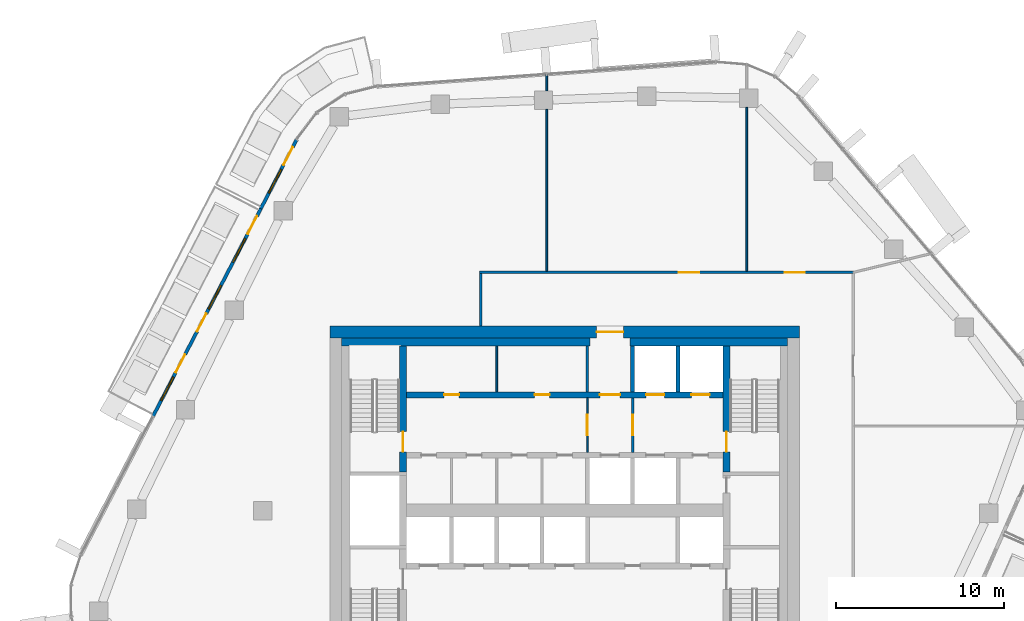
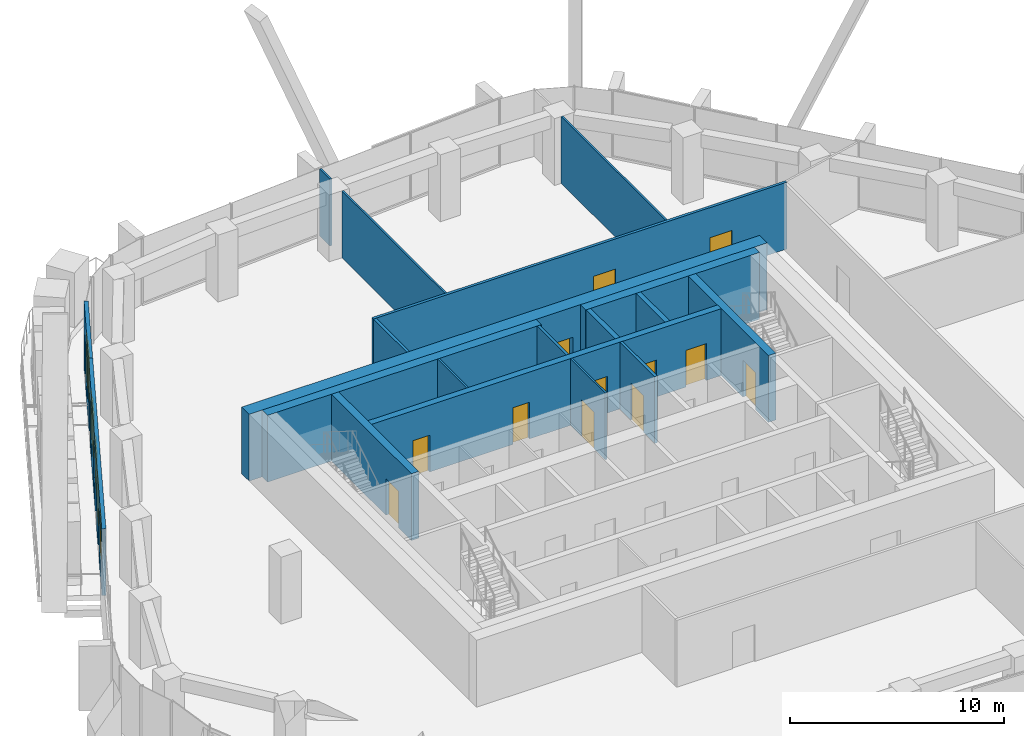
# One storey, part 12 of 20: 19 walls, 16 doors, 4 windows, 20 openings.
"""IFC4 building model written with IfcOpenShell, lengths in metres."""

from ifc_helpers import new_model, si_unit, direction, frame, frame_2d, origin, place, context, subcontext, project, spatial, rectangle, extrude, material, layer, layer_set, type_object, element, fill, save


model = new_model("IFC4")

# Units and contexts
model_context = context("Model", 3, precision=1e-05, world=origin(), true_north=direction((0.0, 1.0)))
body_context = subcontext(model_context, "Body", "Model", "MODEL_VIEW")
ifc_project = project(units=[si_unit("LENGTHUNIT", "METRE"), si_unit("AREAUNIT", "SQUARE_METRE"), si_unit("VOLUMEUNIT", "CUBIC_METRE"), si_unit("PLANEANGLEUNIT", "RADIAN"), si_unit("MASSUNIT", "GRAM", prefix="KILO")], contexts=[model_context])

# Site, building, storey
site_placement = place(None, origin())
site = spatial("IfcSite", under=ifc_project, at=site_placement, CompositionType="ELEMENT")
building_placement = place(site_placement, origin())
building = spatial("IfcBuilding", under=site, at=building_placement, Name="Dongbaek Canopy Tower", CompositionType="ELEMENT")
storey_placement = place(building_placement, frame((0.0, 0.0, 266.39990234375)))
storey = spatial("IfcBuildingStorey", under=building, at=storey_placement, Name="L56", CompositionType="ELEMENT", Elevation=266.39990234375)

# Wall, openings, doors
ifc_material_1 = material(Name="Concrete C60/75", Category="concrete")
ifc_layer_1 = layer(ifc_material_1, 0.35009765625)
ifc_layer_set_1 = layer_set([ifc_layer_1], Name="Core lobby wall 350 Concrete C60/75")
wall_type_1 = type_object("IfcWallType", Name="Core lobby wall 350 Concrete C60/75", PredefinedType="SHEAR", material=ifc_layer_set_1)
wall_1_placement = place(storey_placement, frame((-9.449951171875, 6.89990234375, 0.0), z_axis=(0.0, 0.0, 1.0), x_axis=(1.0, 0.0, 0.0)))
wall_1 = element("IfcWall", 1, at=wall_1_placement, inside=storey, type_object=wall_type_1, Name="Core wall", PredefinedType="SHEAR", context=body_context, shape_type="SweptSolid", body=[
    extrude(rectangle(XDim=18.89990234375, YDim=0.35009765625, at=frame_2d((9.449951171875, 0.0))), origin(), (0.0, 0.0, 1.0), 3.820068359375),
])
opening_1_placement = place(wall_1_placement, frame((11.550048828125, 0.0, 0.0)))
opening_1 = element("IfcOpeningElement", 2, at=opening_1_placement, cuts=wall_1, Name="Opening L56-D008", PredefinedType="OPENING", context=body_context, shape_type="SweptSolid", body=[
    extrude(rectangle(XDim=1.199951171875, YDim=2.10009765625, at=frame_2d((0.60009765625, 1.050048828125))), frame((0.0, 0.18505859375, 0.0), z_axis=(0.0, -1.0, 0.0), x_axis=(1.0, 0.0, 0.0)), (0.0, 0.0, 1.0), 0.3701171875),
])
opening_2_placement = place(wall_1_placement, frame((14.300048828125, 0.0, 0.0)))
opening_2 = element("IfcOpeningElement", 3, at=opening_2_placement, cuts=wall_1, Name="Opening L56-D009", PredefinedType="OPENING", context=body_context, shape_type="SweptSolid", body=[
    extrude(rectangle(XDim=1.10009765625, YDim=2.10009765625, at=frame_2d((0.550048828125, 1.050048828125))), frame((0.0, 0.18505859375, 0.0), z_axis=(0.0, -1.0, 0.0), x_axis=(1.0, 0.0, 0.0)), (0.0, 0.0, 1.0), 0.3701171875),
])
opening_3_placement = place(wall_1_placement, frame((17.0, 0.0, 0.0)))
opening_3 = element("IfcOpeningElement", 4, at=opening_3_placement, cuts=wall_1, Name="Opening L56-D010", PredefinedType="OPENING", context=body_context, shape_type="SweptSolid", body=[
    extrude(rectangle(XDim=1.10009765625, YDim=2.10009765625, at=frame_2d((0.550048828125, 1.050048828125))), frame((0.0, 0.18505859375, 0.0), z_axis=(0.0, -1.0, 0.0), x_axis=(1.0, 0.0, 0.0)), (0.0, 0.0, 1.0), 0.3701171875),
])
opening_4_placement = place(wall_1_placement, frame((2.25, 0.0, 0.0)))
opening_4 = element("IfcOpeningElement", 5, at=opening_4_placement, cuts=wall_1, Name="Opening L56-D021", PredefinedType="OPENING", context=body_context, shape_type="SweptSolid", body=[
    extrude(rectangle(XDim=0.89990234375, YDim=2.10009765625, at=frame_2d((0.449951171875, 1.050048828125))), frame((0.0, 0.18505859375, 0.0), z_axis=(0.0, -1.0, 0.0), x_axis=(1.0, 0.0, 0.0)), (0.0, 0.0, 1.0), 0.3701171875),
])
opening_5_placement = place(wall_1_placement, frame((7.64990234375, 0.0, 0.0)))
opening_5 = element("IfcOpeningElement", 6, at=opening_5_placement, cuts=wall_1, Name="Opening L56-D022", PredefinedType="OPENING", context=body_context, shape_type="SweptSolid", body=[
    extrude(rectangle(XDim=0.89990234375, YDim=2.10009765625, at=frame_2d((0.449951171875, 1.050048828125))), frame((0.0, 0.18505859375, 0.0), z_axis=(0.0, -1.0, 0.0), x_axis=(1.0, 0.0, 0.0)), (0.0, 0.0, 1.0), 0.3701171875),
])
ifc_material_2 = material(Name="Steel", Category="steel")
door_type_1 = type_object("IfcDoorType", Name="Core room door 900 x 2100", OperationType="SINGLE_SWING_LEFT", PredefinedType="DOOR", material=ifc_material_2)
door_1_placement = place(opening_4_placement, origin())
door_1 = element("IfcDoor", 7, at=door_1_placement, inside=storey, type_object=door_type_1, Name="Door L56-D021", OperationType="SINGLE_SWING_RIGHT", OverallHeight=2.10009765625, OverallWidth=0.89990234375, PredefinedType="DOOR", context=body_context, shape_type="SweptSolid", body=[
    extrude(rectangle(XDim=0.89990234375, YDim=2.10009765625, at=frame_2d((0.449951171875, 1.050048828125))), frame((0.0, 0.02490234375, 0.0), z_axis=(0.0, -1.0, 0.0), x_axis=(1.0, 0.0, 0.0)), (0.0, 0.0, 1.0), 0.050048828125),
])
fill(opening_4, door_1)
door_2_placement = place(opening_5_placement, origin())
door_2 = element("IfcDoor", 8, at=door_2_placement, inside=storey, type_object=door_type_1, Name="Door L56-D022", OperationType="SINGLE_SWING_LEFT", OverallHeight=2.10009765625, OverallWidth=0.89990234375, PredefinedType="DOOR", context=body_context, shape_type="SweptSolid", body=[
    extrude(rectangle(XDim=0.89990234375, YDim=2.10009765625, at=frame_2d((0.449951171875, 1.050048828125))), frame((0.0, 0.02490234375, 0.0), z_axis=(0.0, -1.0, 0.0), x_axis=(1.0, 0.0, 0.0)), (0.0, 0.0, 1.0), 0.050048828125),
])
fill(opening_5, door_2)
ifc_material_3 = material(Name="Steel", Category="steel")
door_type_2 = type_object("IfcDoorType", Name="Fire lobby door 1200 x 2100", OperationType="SINGLE_SWING_LEFT", PredefinedType="DOOR", material=ifc_material_3)
door_3_placement = place(opening_1_placement, origin())
door_3 = element("IfcDoor", 9, at=door_3_placement, inside=storey, type_object=door_type_2, Name="Door L56-D008", OperationType="SINGLE_SWING_LEFT", OverallHeight=2.10009765625, OverallWidth=1.199951171875, PredefinedType="DOOR", context=body_context, shape_type="SweptSolid", body=[
    extrude(rectangle(XDim=1.199951171875, YDim=2.10009765625, at=frame_2d((0.60009765625, 1.050048828125))), frame((0.0, 0.02490234375, 0.0), z_axis=(0.0, -1.0, 0.0), x_axis=(1.0, 0.0, 0.0)), (0.0, 0.0, 1.0), 0.050048828125),
])
fill(opening_1, door_3)
ifc_material_4 = material(Name="Stainless steel", Category="steel")
door_type_3 = type_object("IfcDoorType", Name="Lift landing door 1100 x 2100", OperationType="DOUBLE_DOOR_SLIDING", PredefinedType="DOOR", material=ifc_material_4)
door_4_placement = place(opening_2_placement, origin())
door_4 = element("IfcDoor", 10, at=door_4_placement, inside=storey, type_object=door_type_3, Name="Landing door FF1", OperationType="DOUBLE_DOOR_SLIDING", OverallHeight=2.10009765625, OverallWidth=1.10009765625, PredefinedType="DOOR", context=body_context, shape_type="SweptSolid", body=[
    extrude(rectangle(XDim=1.10009765625, YDim=2.10009765625, at=frame_2d((0.550048828125, 1.050048828125))), frame((0.0, 0.02490234375, 0.0), z_axis=(0.0, -1.0, 0.0), x_axis=(1.0, 0.0, 0.0)), (0.0, 0.0, 1.0), 0.050048828125),
])
fill(opening_2, door_4)
door_5_placement = place(opening_3_placement, origin())
door_5 = element("IfcDoor", 11, at=door_5_placement, inside=storey, type_object=door_type_3, Name="Landing door FF2", OperationType="DOUBLE_DOOR_SLIDING", OverallHeight=2.10009765625, OverallWidth=1.10009765625, PredefinedType="DOOR", context=body_context, shape_type="SweptSolid", body=[
    extrude(rectangle(XDim=1.10009765625, YDim=2.10009765625, at=frame_2d((0.550048828125, 1.050048828125))), frame((0.0, 0.02490234375, 0.0), z_axis=(0.0, -1.0, 0.0), x_axis=(1.0, 0.0, 0.0)), (0.0, 0.0, 1.0), 0.050048828125),
])
fill(opening_3, door_5)

# Wall, opening, door
ifc_material_5 = material(Name="Concrete C70/85", Category="concrete")
ifc_layer_2 = layer(ifc_material_5, 0.699951171875)
ifc_layer_set_2 = layer_set([ifc_layer_2], Name="Core outer wall 700 Concrete C70/85")
wall_type_2 = type_object("IfcWallType", Name="Core outer wall 700 Concrete C70/85", PredefinedType="SHEAR", material=ifc_layer_set_2)
wall_2_placement = place(storey_placement, frame((-14.0, 10.64990234375, 0.0), z_axis=(0.0, 0.0, 1.0), x_axis=(1.0, 0.0, 0.0)))
wall_2 = element("IfcWall", 12, at=wall_2_placement, inside=storey, type_object=wall_type_2, Name="Core wall", PredefinedType="SHEAR", context=body_context, shape_type="SweptSolid", body=[
    extrude(rectangle(XDim=28.0, YDim=0.699951171875, at=frame_2d((14.0, 0.0))), origin(), (0.0, 0.0, 1.0), 3.820068359375),
])
opening_6_placement = place(wall_2_placement, frame((15.89990234375, 0.0, 0.0)))
opening_6 = element("IfcOpeningElement", 13, at=opening_6_placement, cuts=wall_2, Name="Opening L56-D007", PredefinedType="OPENING", context=body_context, shape_type="SweptSolid", body=[
    extrude(rectangle(XDim=1.60009765625, YDim=2.10009765625, at=frame_2d((0.800048828125, 1.050048828125))), frame((0.0, 0.35986328125, 0.0), z_axis=(0.0, -1.0, 0.0), x_axis=(1.0, 0.0, 0.0)), (0.0, 0.0, 1.0), 0.719970703125),
])
ifc_material_6 = material(Name="Steel", Category="steel")
door_type_4 = type_object("IfcDoorType", Name="Core exit door 1600 x 2100", OperationType="DOUBLE_DOOR_SINGLE_SWING", PredefinedType="DOOR", material=ifc_material_6)
door_6_placement = place(opening_6_placement, origin())
door_6 = element("IfcDoor", 14, at=door_6_placement, inside=storey, type_object=door_type_4, Name="Core exit door", OperationType="DOUBLE_DOOR_SINGLE_SWING", OverallHeight=2.10009765625, OverallWidth=1.60009765625, PredefinedType="DOOR", context=body_context, shape_type="SweptSolid", body=[
    extrude(rectangle(XDim=1.60009765625, YDim=2.10009765625, at=frame_2d((0.800048828125, 1.050048828125))), frame((0.0, 0.02490234375, 0.0), z_axis=(0.0, -1.0, 0.0), x_axis=(1.0, 0.0, 0.0)), (0.0, 0.0, 1.0), 0.050048828125),
])
fill(opening_6, door_6)

# Walls
ifc_material_7 = material(Name="Concrete C60/75", Category="concrete")
ifc_layer_3 = layer(ifc_material_7, 0.5)
ifc_layer_set_3 = layer_set([ifc_layer_3], Name="Core wall lining 500 Concrete C60/75")
wall_type_3 = type_object("IfcWallType", Name="Core wall lining 500 Concrete C60/75", PredefinedType="SHEAR", material=ifc_layer_set_3)
wall_3_placement = place(storey_placement, frame((-13.300048828125, 10.050048828125, 0.0), z_axis=(0.0, 0.0, 1.0), x_axis=(1.0, 0.0, 0.0)))
element("IfcWall", 15, at=wall_3_placement, inside=storey, type_object=wall_type_3, Name="Core wall lining", PredefinedType="SHEAR", context=body_context, shape_type="SweptSolid", body=[
    extrude(rectangle(XDim=14.800048828125, YDim=0.5, at=frame_2d((7.39990234375, 0.0))), origin(), (0.0, 0.0, 1.0), 3.820068359375),
])
wall_4_placement = place(storey_placement, frame((3.89990234375, 10.050048828125, 0.0), z_axis=(0.0, 0.0, 1.0), x_axis=(1.0, 0.0, 0.0)))
element("IfcWall", 16, at=wall_4_placement, inside=storey, type_object=wall_type_3, Name="Core wall lining", PredefinedType="SHEAR", context=body_context, shape_type="SweptSolid", body=[
    extrude(rectangle(XDim=9.400146484375, YDim=0.5, at=frame_2d((4.7001953125, 0.0))), origin(), (0.0, 0.0, 1.0), 3.820068359375),
])

# Wall, openings, doors
ifc_material_8 = material(Name="Gypsum board partition, steel stud, 2 x 15 mm fire board", Category="steel")
ifc_layer_4 = layer(ifc_material_8, 0.14990234375)
ifc_layer_set_4 = layer_set([ifc_layer_4], Name="Fire-rated partition 150 gypsum board")
wall_type_4 = type_object("IfcWallType", Name="Fire-rated partition 150 gypsum board", PredefinedType="PARTITIONING", material=ifc_layer_set_4)
wall_5_placement = place(storey_placement, frame((-5.074951171875, 14.199951171875, 0.0), z_axis=(0.0, 0.0, 1.0), x_axis=(1.0, 0.0, 0.0)))
wall_5 = element("IfcWall", 17, at=wall_5_placement, inside=storey, type_object=wall_type_4, Name="Corridor partition", PredefinedType="PARTITIONING", context=body_context, shape_type="SweptSolid", body=[
    extrude(rectangle(XDim=22.349853515625, YDim=0.14990234375, at=frame_2d((11.1748046875, 0.0))), origin(), (0.0, 0.0, 1.0), 3.820068359375),
])
opening_7_placement = place(wall_5_placement, frame((18.193115234375, 0.0, 0.0)))
opening_7 = element("IfcOpeningElement", 18, at=opening_7_placement, cuts=wall_5, Name="Opening L56-D004", PredefinedType="OPENING", context=body_context, shape_type="SweptSolid", body=[
    extrude(rectangle(XDim=1.199951171875, YDim=2.10009765625, at=frame_2d((0.60009765625, 1.050048828125))), frame((0.0, 0.0849609375, 0.0), z_axis=(0.0, -1.0, 0.0), x_axis=(1.0, 0.0, 0.0)), (0.0, 0.0, 1.0), 0.169921875),
])
opening_8_placement = place(wall_5_placement, frame((11.887451171875, 0.0, 0.0)))
opening_8 = element("IfcOpeningElement", 19, at=opening_8_placement, cuts=wall_5, Name="Opening L56-D005", PredefinedType="OPENING", context=body_context, shape_type="SweptSolid", body=[
    extrude(rectangle(XDim=1.199951171875, YDim=2.10009765625, at=frame_2d((0.60009765625, 1.050048828125))), frame((0.0, 0.0849609375, 0.0), z_axis=(0.0, -1.0, 0.0), x_axis=(1.0, 0.0, 0.0)), (0.0, 0.0, 1.0), 0.169921875),
])
ifc_material_9 = material(Name="Timber veneered door leaf", Category="wood")
door_type_5 = type_object("IfcDoorType", Name="Room door 1200 x 2100", OperationType="SINGLE_SWING_LEFT", PredefinedType="DOOR", material=ifc_material_9)
door_7_placement = place(opening_7_placement, origin())
door_7 = element("IfcDoor", 20, at=door_7_placement, inside=storey, type_object=door_type_5, Name="Door L56-D004", OperationType="SINGLE_SWING_LEFT", OverallHeight=2.10009765625, OverallWidth=1.199951171875, PredefinedType="DOOR", context=body_context, shape_type="SweptSolid", body=[
    extrude(rectangle(XDim=1.199951171875, YDim=2.10009765625, at=frame_2d((0.60009765625, 1.050048828125))), frame((0.0, 0.02490234375, 0.0), z_axis=(0.0, -1.0, 0.0), x_axis=(1.0, 0.0, 0.0)), (0.0, 0.0, 1.0), 0.050048828125),
])
fill(opening_7, door_7)
door_8_placement = place(opening_8_placement, origin())
door_8 = element("IfcDoor", 21, at=door_8_placement, inside=storey, type_object=door_type_5, Name="Door L56-D005", OperationType="SINGLE_SWING_RIGHT", OverallHeight=2.10009765625, OverallWidth=1.199951171875, PredefinedType="DOOR", context=body_context, shape_type="SweptSolid", body=[
    extrude(rectangle(XDim=1.199951171875, YDim=2.10009765625, at=frame_2d((0.60009765625, 1.050048828125))), frame((0.0, 0.02490234375, 0.0), z_axis=(0.0, -1.0, 0.0), x_axis=(1.0, 0.0, 0.0)), (0.0, 0.0, 1.0), 0.050048828125),
])
fill(opening_8, door_8)

# Wall
wall_6_placement = place(storey_placement, frame((-5.0, 11.0, 0.0), z_axis=(0.0, 0.0, 1.0), x_axis=(0.0, 1.0, 0.0)))
element("IfcWall", 22, at=wall_6_placement, inside=storey, type_object=wall_type_4, Name="Corridor partition", PredefinedType="PARTITIONING", context=body_context, shape_type="SweptSolid", body=[
    extrude(rectangle(XDim=3.125, YDim=0.14990234375, at=frame_2d((1.5625, 0.0))), origin(), (0.0, 0.0, 1.0), 3.820068359375),
])

# Wall, opening, door
wall_7_placement = place(storey_placement, frame((4.050048828125, 6.72509765625, 0.0), z_axis=(0.0, 0.0, 1.0), x_axis=(0.0, -1.0, 0.0)))
wall_7 = element("IfcWall", 23, at=wall_7_placement, inside=storey, type_object=wall_type_4, Name="Fire lobby partition", PredefinedType="PARTITIONING", context=body_context, shape_type="SweptSolid", body=[
    extrude(rectangle(XDim=3.25, YDim=0.14990234375, at=frame_2d((1.625, 0.0))), origin(), (0.0, 0.0, 1.0), 3.820068359375),
])
opening_9_placement = place(wall_7_placement, frame((1.02490234375, 0.0, 0.0)))
opening_9 = element("IfcOpeningElement", 24, at=opening_9_placement, cuts=wall_7, Name="Opening L56-D035", PredefinedType="OPENING", context=body_context, shape_type="SweptSolid", body=[
    extrude(rectangle(XDim=1.199951171875, YDim=2.10009765625, at=frame_2d((0.60009765625, 1.050048828125))), frame((0.0, 0.0849609375, 0.0), z_axis=(0.0, -1.0, 0.0), x_axis=(1.0, 0.0, 0.0)), (0.0, 0.0, 1.0), 0.169921875),
])
door_9_placement = place(opening_9_placement, origin())
door_9 = element("IfcDoor", 25, at=door_9_placement, inside=storey, type_object=door_type_2, Name="Door L56-D035", OperationType="SINGLE_SWING_RIGHT", OverallHeight=2.10009765625, OverallWidth=1.199951171875, PredefinedType="DOOR", context=body_context, shape_type="SweptSolid", body=[
    extrude(rectangle(XDim=1.199951171875, YDim=2.10009765625, at=frame_2d((0.60009765625, 1.050048828125))), frame((0.0, 0.02490234375, 0.0), z_axis=(0.0, -1.0, 0.0), x_axis=(1.0, 0.0, 0.0)), (0.0, 0.0, 1.0), 0.050048828125),
])
fill(opening_9, door_9)

# Walls
wall_8_placement = place(storey_placement, frame((1.35009765625, 7.074951171875, 0.0), z_axis=(0.0, 0.0, 1.0), x_axis=(0.0, 1.0, 0.0)))
element("IfcWall", 26, at=wall_8_placement, inside=storey, type_object=wall_type_4, Name="Fire lobby partition", PredefinedType="PARTITIONING", context=body_context, shape_type="SweptSolid", body=[
    extrude(rectangle(XDim=2.72509765625, YDim=0.14990234375, at=frame_2d((1.362548828125, 0.0))), origin(), (0.0, 0.0, 1.0), 3.820068359375),
])
ifc_material_10 = material(Name="Concrete C40/50", Category="concrete")
ifc_layer_5 = layer(ifc_material_10, 0.25)
ifc_layer_set_5 = layer_set([ifc_layer_5], Name="Lift shaft wall 250 Concrete C40/50")
wall_type_5 = type_object("IfcWallType", Name="Lift shaft wall 250 Concrete C40/50", PredefinedType="SOLIDWALL", material=ifc_layer_set_5)
for number, where, z_axis, x_axis, name in (
    (27, (6.75, 7.074951171875, 0.0), (0.0, 0.0, 1.0), (0.0, 1.0, 0.0), "Lift shaft wall"),
    (28, (4.050048828125, 7.074951171875, 0.0), (0.0, 0.0, 1.0), (0.0, 1.0, 0.0), "Lift shaft wall"),
):
    element("IfcWall", number, at=place(storey_placement, frame(where, z_axis=z_axis, x_axis=x_axis)), inside=storey, type_object=wall_type_5, Name=name, PredefinedType="SOLIDWALL", context=body_context, shape_type="SweptSolid", body=[
        extrude(rectangle(XDim=2.72509765625, YDim=0.25, at=frame_2d((1.362548828125, 0.0))), origin(), (0.0, 0.0, 1.0), 3.820068359375),
    ])
ifc_material_11 = material(Name="Gypsum board partition, steel stud, 2 x 12.5 mm board", Category="steel")
ifc_layer_6 = layer(ifc_material_11, 0.10009765625)
ifc_layer_set_6 = layer_set([ifc_layer_6], Name="Partition 100 gypsum board")
wall_type_6 = type_object("IfcWallType", Name="Partition 100 gypsum board", PredefinedType="PARTITIONING", material=ifc_layer_set_6)
wall_9_placement = place(storey_placement, frame((10.85302734375, 14.27490234375, 0.0), z_axis=(0.0, 0.0, 1.0), x_axis=(0.0, 1.0, 0.0)))
element("IfcWall", 29, at=wall_9_placement, inside=storey, type_object=wall_type_6, Name="Partition", PredefinedType="PARTITIONING", context=body_context, shape_type="SweptSolid", body=[
    extrude(rectangle(XDim=9.774169921875, YDim=0.10009765625, at=frame_2d((4.88720703125, 0.0))), origin(), (0.0, 0.0, 1.0), 3.820068359375),
])
wall_10_placement = place(storey_placement, frame((-1.075927734375, 14.27490234375, 0.0), z_axis=(0.0, 0.0, 1.0), x_axis=(0.0, 1.0, 0.0)))
element("IfcWall", 30, at=wall_10_placement, inside=storey, type_object=wall_type_6, Name="Partition", PredefinedType="PARTITIONING", context=body_context, shape_type="SweptSolid", body=[
    extrude(rectangle(XDim=9.654052734375, YDim=0.10009765625, at=frame_2d((4.8271484375, 0.0))), origin(), (0.0, 0.0, 1.0), 3.820068359375),
])
wall_11_placement = place(storey_placement, frame((-1.075927734375, 25.029052734375, 0.0), z_axis=(0.0, 0.0, 1.0), x_axis=(0.0, 1.0, 0.0)))
element("IfcWall", 31, at=wall_11_placement, inside=storey, type_object=wall_type_6, Name="Partition", PredefinedType="PARTITIONING", context=body_context, shape_type="SweptSolid", body=[
    extrude(rectangle(XDim=0.97607421875, YDim=0.10009765625, at=frame_2d((0.488037109375, 0.0))), origin(), (0.0, 0.0, 1.0), 3.820068359375),
])

# Wall, opening, door
wall_12_placement = place(storey_placement, frame((1.35009765625, 6.72509765625, 0.0), z_axis=(0.0, 0.0, 1.0), x_axis=(0.0, -1.0, 0.0)))
wall_12 = element("IfcWall", 32, at=wall_12_placement, inside=storey, type_object=wall_type_6, Name="Core partition", PredefinedType="PARTITIONING", context=body_context, shape_type="SweptSolid", body=[
    extrude(rectangle(XDim=3.25, YDim=0.10009765625, at=frame_2d((1.625, 0.0))), origin(), (0.0, 0.0, 1.0), 3.820068359375),
])
opening_10_placement = place(wall_12_placement, frame((1.02490234375, 0.0, 0.0)))
opening_10 = element("IfcOpeningElement", 33, at=opening_10_placement, cuts=wall_12, Name="Opening L56-D034", PredefinedType="OPENING", context=body_context, shape_type="SweptSolid", body=[
    extrude(rectangle(XDim=1.199951171875, YDim=2.10009765625, at=frame_2d((0.60009765625, 1.050048828125))), frame((0.0, 0.06005859375, 0.0), z_axis=(0.0, -1.0, 0.0), x_axis=(1.0, 0.0, 0.0)), (0.0, 0.0, 1.0), 0.1201171875),
])
door_10_placement = place(opening_10_placement, origin())
door_10 = element("IfcDoor", 34, at=door_10_placement, inside=storey, type_object=door_type_2, Name="Door L56-D034", OperationType="SINGLE_SWING_LEFT", OverallHeight=2.10009765625, OverallWidth=1.199951171875, PredefinedType="DOOR", context=body_context, shape_type="SweptSolid", body=[
    extrude(rectangle(XDim=1.199951171875, YDim=2.10009765625, at=frame_2d((0.60009765625, 1.050048828125))), frame((0.0, 0.02490234375, 0.0), z_axis=(0.0, -1.0, 0.0), x_axis=(1.0, 0.0, 0.0)), (0.0, 0.0, 1.0), 0.050048828125),
])
fill(opening_10, door_10)

# Wall
wall_13_placement = place(storey_placement, frame((-4.050048828125, 7.074951171875, 0.0), z_axis=(0.0, 0.0, 1.0), x_axis=(0.0, 1.0, 0.0)))
element("IfcWall", 35, at=wall_13_placement, inside=storey, type_object=wall_type_6, Name="Core partition", PredefinedType="PARTITIONING", context=body_context, shape_type="SweptSolid", body=[
    extrude(rectangle(XDim=2.72509765625, YDim=0.10009765625, at=frame_2d((1.362548828125, 0.0))), origin(), (0.0, 0.0, 1.0), 3.820068359375),
])

# Wall, opening, door
ifc_material_12 = material(Name="Concrete C60/75", Category="concrete")
ifc_layer_7 = layer(ifc_material_12, 0.39990234375)
ifc_layer_set_7 = layer_set([ifc_layer_7], Name="Stair wall 400 Concrete C60/75")
wall_type_7 = type_object("IfcWallType", Name="Stair wall 400 Concrete C60/75", PredefinedType="SHEAR", material=ifc_layer_set_7)
wall_14_placement = place(storey_placement, frame((9.64990234375, 9.800048828125, 0.0), z_axis=(0.0, 0.0, 1.0), x_axis=(0.0, -1.0, 0.0)))
wall_14 = element("IfcWall", 36, at=wall_14_placement, inside=storey, type_object=wall_type_7, Name="Stair wall", PredefinedType="SHEAR", context=body_context, shape_type="SweptSolid", body=[
    extrude(rectangle(XDim=7.5, YDim=0.39990234375, at=frame_2d((3.75, 0.0))), origin(), (0.0, 0.0, 1.0), 3.820068359375),
])
opening_11_placement = place(wall_14_placement, frame((5.10009765625, 0.0, 0.0)))
opening_11 = element("IfcOpeningElement", 37, at=opening_11_placement, cuts=wall_14, Name="Opening L56-D030", PredefinedType="OPENING", context=body_context, shape_type="SweptSolid", body=[
    extrude(rectangle(XDim=1.199951171875, YDim=2.10009765625, at=frame_2d((0.60009765625, 1.050048828125))), frame((0.0, 0.2099609375, 0.0), z_axis=(0.0, -1.0, 0.0), x_axis=(1.0, 0.0, 0.0)), (0.0, 0.0, 1.0), 0.419921875),
])
ifc_material_13 = material(Name="Steel", Category="steel")
door_type_6 = type_object("IfcDoorType", Name="Stair door 1200 x 2100", OperationType="SINGLE_SWING_LEFT", PredefinedType="DOOR", material=ifc_material_13)
door_11_placement = place(opening_11_placement, origin())
door_11 = element("IfcDoor", 38, at=door_11_placement, inside=storey, type_object=door_type_6, Name="Stair A door", OperationType="SINGLE_SWING_LEFT", OverallHeight=2.10009765625, OverallWidth=1.199951171875, PredefinedType="DOOR", context=body_context, shape_type="SweptSolid", body=[
    extrude(rectangle(XDim=1.199951171875, YDim=2.10009765625, at=frame_2d((0.60009765625, 1.050048828125))), frame((0.0, 0.02490234375, 0.0), z_axis=(0.0, -1.0, 0.0), x_axis=(1.0, 0.0, 0.0)), (0.0, 0.0, 1.0), 0.050048828125),
])
fill(opening_11, door_11)

wall_15_placement = place(storey_placement, frame((-9.64990234375, 2.300048828125, 0.0), z_axis=(0.0, 0.0, 1.0), x_axis=(0.0, 1.0, 0.0)))
wall_15 = element("IfcWall", 39, at=wall_15_placement, inside=storey, type_object=wall_type_7, Name="Stair wall", PredefinedType="SHEAR", context=body_context, shape_type="SweptSolid", body=[
    extrude(rectangle(XDim=7.5, YDim=0.39990234375, at=frame_2d((3.75, 0.0))), origin(), (0.0, 0.0, 1.0), 3.820068359375),
])
opening_12_placement = place(wall_15_placement, frame((1.199951171875, 0.0, 0.0)))
opening_12 = element("IfcOpeningElement", 40, at=opening_12_placement, cuts=wall_15, Name="Opening L56-D031", PredefinedType="OPENING", context=body_context, shape_type="SweptSolid", body=[
    extrude(rectangle(XDim=1.199951171875, YDim=2.10009765625, at=frame_2d((0.60009765625, 1.050048828125))), frame((0.0, 0.2099609375, 0.0), z_axis=(0.0, -1.0, 0.0), x_axis=(1.0, 0.0, 0.0)), (0.0, 0.0, 1.0), 0.419921875),
])
door_12_placement = place(opening_12_placement, origin())
door_12 = element("IfcDoor", 41, at=door_12_placement, inside=storey, type_object=door_type_6, Name="Stair C door", OperationType="SINGLE_SWING_RIGHT", OverallHeight=2.10009765625, OverallWidth=1.199951171875, PredefinedType="DOOR", context=body_context, shape_type="SweptSolid", body=[
    extrude(rectangle(XDim=1.199951171875, YDim=2.10009765625, at=frame_2d((0.60009765625, 1.050048828125))), frame((0.0, 0.02490234375, 0.0), z_axis=(0.0, -1.0, 0.0), x_axis=(1.0, 0.0, 0.0)), (0.0, 0.0, 1.0), 0.050048828125),
])
fill(opening_12, door_12)

# Wall, openings, doors, windows
ifc_material_14 = material(Name="Aluminium window wall", Category="aluminium")
ifc_layer_8 = layer(ifc_material_14, 0.199951171875)
ifc_layer_set_8 = layer_set([ifc_layer_8], Name="Window wall 200")
wall_type_8 = type_object("IfcWallType", Name="Window wall 200", PredefinedType="SOLIDWALL", material=ifc_layer_set_8)
wall_16_placement = place(storey_placement, frame((-18.12744140625, 18.004150390625, 0.0), z_axis=(0.0, 0.0, 1.0), x_axis=(-0.460887329436, -0.887458657947, 0.0)))
wall_16 = element("IfcWall", 42, at=wall_16_placement, inside=storey, type_object=wall_type_8, Name="Window wall L56 1", PredefinedType="SOLIDWALL", context=body_context, shape_type="SweptSolid", body=[
    extrude(rectangle(XDim=13.95849609375, YDim=0.199951171875, at=frame_2d((6.979248046875, 0.0))), origin(), (0.0, 0.0, 1.0), 3.820068359375),
])
opening_13_placement = place(wall_16_placement, frame((2.0, 0.0, 0.60009765625)))
opening_13 = element("IfcOpeningElement", 43, at=opening_13_placement, cuts=wall_16, Name="Opening W1", PredefinedType="OPENING", context=body_context, shape_type="SweptSolid", body=[
    extrude(rectangle(XDim=1.60009765625, YDim=2.39990234375, at=frame_2d((0.800048828125, 1.199951171875))), frame((0.0, 0.10986328125, 0.0), z_axis=(0.0, -1.0, 0.0), x_axis=(1.0, 0.0, 0.0)), (0.0, 0.0, 1.0), 0.219970703125),
])
opening_14_placement = place(wall_16_placement, frame((0.5, 0.0, 0.0)))
opening_14 = element("IfcOpeningElement", 44, at=opening_14_placement, cuts=wall_16, Name="Opening L56-B01", PredefinedType="OPENING", context=body_context, shape_type="SweptSolid", body=[
    extrude(rectangle(XDim=1.199951171875, YDim=2.39990234375, at=frame_2d((0.60009765625, 1.199951171875))), frame((0.0, 0.10986328125, 0.0), z_axis=(0.0, -1.0, 0.0), x_axis=(1.0, 0.0, 0.0)), (0.0, 0.0, 1.0), 0.219970703125),
])
opening_15_placement = place(wall_16_placement, frame((5.15283203125, 0.0, 0.60009765625)))
opening_15 = element("IfcOpeningElement", 45, at=opening_15_placement, cuts=wall_16, Name="Opening W1", PredefinedType="OPENING", context=body_context, shape_type="SweptSolid", body=[
    extrude(rectangle(XDim=1.60009765625, YDim=2.39990234375, at=frame_2d((0.800048828125, 1.199951171875))), frame((0.0, 0.10986328125, 0.0), z_axis=(0.0, -1.0, 0.0), x_axis=(1.0, 0.0, 0.0)), (0.0, 0.0, 1.0), 0.219970703125),
])
opening_16_placement = place(wall_16_placement, frame((7.052978515625, 0.0, 0.0)))
opening_16 = element("IfcOpeningElement", 46, at=opening_16_placement, cuts=wall_16, Name="Opening L56-B02", PredefinedType="OPENING", context=body_context, shape_type="SweptSolid", body=[
    extrude(rectangle(XDim=1.199951171875, YDim=2.39990234375, at=frame_2d((0.60009765625, 1.199951171875))), frame((0.0, 0.10986328125, 0.0), z_axis=(0.0, -1.0, 0.0), x_axis=(1.0, 0.0, 0.0)), (0.0, 0.0, 1.0), 0.219970703125),
])
opening_17_placement = place(wall_16_placement, frame((11.3056640625, 0.0, 0.60009765625)))
opening_17 = element("IfcOpeningElement", 47, at=opening_17_placement, cuts=wall_16, Name="Opening W1", PredefinedType="OPENING", context=body_context, shape_type="SweptSolid", body=[
    extrude(rectangle(XDim=1.60009765625, YDim=2.39990234375, at=frame_2d((0.800048828125, 1.199951171875))), frame((0.0, 0.10986328125, 0.0), z_axis=(0.0, -1.0, 0.0), x_axis=(1.0, 0.0, 0.0)), (0.0, 0.0, 1.0), 0.219970703125),
])
opening_18_placement = place(wall_16_placement, frame((9.8056640625, 0.0, 0.0)))
opening_18 = element("IfcOpeningElement", 48, at=opening_18_placement, cuts=wall_16, Name="Opening L56-B03", PredefinedType="OPENING", context=body_context, shape_type="SweptSolid", body=[
    extrude(rectangle(XDim=1.199951171875, YDim=2.39990234375, at=frame_2d((0.60009765625, 1.199951171875))), frame((0.0, 0.10986328125, 0.0), z_axis=(0.0, -1.0, 0.0), x_axis=(1.0, 0.0, 0.0)), (0.0, 0.0, 1.0), 0.219970703125),
])
ifc_material_15 = material(Name="Clear glazing in aluminium frame", Category="aluminium")
door_type_7 = type_object("IfcDoorType", Name="Balcony door BD1 1200 x 2400", OperationType="SLIDING_TO_LEFT", PredefinedType="DOOR", material=ifc_material_15)
door_13_placement = place(opening_14_placement, origin())
door_13 = element("IfcDoor", 49, at=door_13_placement, inside=storey, type_object=door_type_7, Name="Balcony door L56-B01", OperationType="SLIDING_TO_LEFT", OverallHeight=2.39990234375, OverallWidth=1.199951171875, PredefinedType="DOOR", context=body_context, shape_type="SweptSolid", body=[
    extrude(rectangle(XDim=1.199951171875, YDim=2.39990234375, at=frame_2d((0.60009765625, 1.199951171875))), frame((0.0, 0.02490234375, 0.0), z_axis=(0.0, -1.0, 0.0), x_axis=(1.0, 0.0, 0.0)), (0.0, 0.0, 1.0), 0.050048828125),
])
fill(opening_14, door_13)
door_14_placement = place(opening_16_placement, origin())
door_14 = element("IfcDoor", 50, at=door_14_placement, inside=storey, type_object=door_type_7, Name="Balcony door L56-B02", OperationType="SLIDING_TO_LEFT", OverallHeight=2.39990234375, OverallWidth=1.199951171875, PredefinedType="DOOR", context=body_context, shape_type="SweptSolid", body=[
    extrude(rectangle(XDim=1.199951171875, YDim=2.39990234375, at=frame_2d((0.60009765625, 1.199951171875))), frame((0.0, 0.02490234375, 0.0), z_axis=(0.0, -1.0, 0.0), x_axis=(1.0, 0.0, 0.0)), (0.0, 0.0, 1.0), 0.050048828125),
])
fill(opening_16, door_14)
door_15_placement = place(opening_18_placement, origin())
door_15 = element("IfcDoor", 51, at=door_15_placement, inside=storey, type_object=door_type_7, Name="Balcony door L56-B03", OperationType="SLIDING_TO_LEFT", OverallHeight=2.39990234375, OverallWidth=1.199951171875, PredefinedType="DOOR", context=body_context, shape_type="SweptSolid", body=[
    extrude(rectangle(XDim=1.199951171875, YDim=2.39990234375, at=frame_2d((0.60009765625, 1.199951171875))), frame((0.0, 0.02490234375, 0.0), z_axis=(0.0, -1.0, 0.0), x_axis=(1.0, 0.0, 0.0)), (0.0, 0.0, 1.0), 0.050048828125),
])
fill(opening_18, door_15)
ifc_material_16 = material(Name="Clear glazing in aluminium frame", Category="aluminium")
window_type = type_object("IfcWindowType", Name="Window W1 1600 x 2400", PartitioningType="SINGLE_PANEL", PredefinedType="WINDOW", material=ifc_material_16)
window_1_placement = place(opening_13_placement, origin())
window_1 = element("IfcWindow", 52, at=window_1_placement, inside=storey, type_object=window_type, Name="Window L56 1.1", OverallHeight=2.39990234375, OverallWidth=1.60009765625, PartitioningType="SINGLE_PANEL", PredefinedType="WINDOW", context=body_context, shape_type="SweptSolid", body=[
    extrude(rectangle(XDim=1.60009765625, YDim=2.39990234375, at=frame_2d((0.800048828125, 1.199951171875))), frame((0.0, 0.030029296875, 0.0), z_axis=(0.0, -1.0, 0.0), x_axis=(1.0, 0.0, 0.0)), (0.0, 0.0, 1.0), 0.06005859375),
])
fill(opening_13, window_1)
window_2_placement = place(opening_15_placement, origin())
window_2 = element("IfcWindow", 53, at=window_2_placement, inside=storey, type_object=window_type, Name="Window L56 1.2", OverallHeight=2.39990234375, OverallWidth=1.60009765625, PartitioningType="SINGLE_PANEL", PredefinedType="WINDOW", context=body_context, shape_type="SweptSolid", body=[
    extrude(rectangle(XDim=1.60009765625, YDim=2.39990234375, at=frame_2d((0.800048828125, 1.199951171875))), frame((0.0, 0.030029296875, 0.0), z_axis=(0.0, -1.0, 0.0), x_axis=(1.0, 0.0, 0.0)), (0.0, 0.0, 1.0), 0.06005859375),
])
fill(opening_15, window_2)
window_3_placement = place(opening_17_placement, origin())
window_3 = element("IfcWindow", 54, at=window_3_placement, inside=storey, type_object=window_type, Name="Window L56 1.3", OverallHeight=2.39990234375, OverallWidth=1.60009765625, PartitioningType="SINGLE_PANEL", PredefinedType="WINDOW", context=body_context, shape_type="SweptSolid", body=[
    extrude(rectangle(XDim=1.60009765625, YDim=2.39990234375, at=frame_2d((0.800048828125, 1.199951171875))), frame((0.0, 0.030029296875, 0.0), z_axis=(0.0, -1.0, 0.0), x_axis=(1.0, 0.0, 0.0)), (0.0, 0.0, 1.0), 0.06005859375),
])
fill(opening_17, window_3)

# Wall, openings, door, window
wall_17_placement = place(storey_placement, frame((-15.987060546875, 22.1259765625, 0.0), z_axis=(0.0, 0.0, 1.0), x_axis=(-0.460849508125, -0.887478298811, 0.0)))
wall_17 = element("IfcWall", 55, at=wall_17_placement, inside=storey, type_object=wall_type_8, Name="Window wall L56 5", PredefinedType="SOLIDWALL", context=body_context, shape_type="SweptSolid", body=[
    extrude(rectangle(XDim=4.64453125, YDim=0.199951171875, at=frame_2d((2.322265625, 0.0))), origin(), (0.0, 0.0, 1.0), 3.820068359375),
])
opening_19_placement = place(wall_17_placement, frame((2.0, 0.0, 0.60009765625)))
opening_19 = element("IfcOpeningElement", 56, at=opening_19_placement, cuts=wall_17, Name="Opening W1", PredefinedType="OPENING", context=body_context, shape_type="SweptSolid", body=[
    extrude(rectangle(XDim=1.60009765625, YDim=2.39990234375, at=frame_2d((0.800048828125, 1.199951171875))), frame((0.0, 0.10986328125, 0.0), z_axis=(0.0, -1.0, 0.0), x_axis=(1.0, 0.0, 0.0)), (0.0, 0.0, 1.0), 0.219970703125),
])
opening_20_placement = place(wall_17_placement, frame((0.5, 0.0, 0.0)))
opening_20 = element("IfcOpeningElement", 57, at=opening_20_placement, cuts=wall_17, Name="Opening L56-B04", PredefinedType="OPENING", context=body_context, shape_type="SweptSolid", body=[
    extrude(rectangle(XDim=1.199951171875, YDim=2.39990234375, at=frame_2d((0.60009765625, 1.199951171875))), frame((0.0, 0.10986328125, 0.0), z_axis=(0.0, -1.0, 0.0), x_axis=(1.0, 0.0, 0.0)), (0.0, 0.0, 1.0), 0.219970703125),
])
door_16_placement = place(opening_20_placement, origin())
door_16 = element("IfcDoor", 58, at=door_16_placement, inside=storey, type_object=door_type_7, Name="Balcony door L56-B04", OperationType="SLIDING_TO_LEFT", OverallHeight=2.39990234375, OverallWidth=1.199951171875, PredefinedType="DOOR", context=body_context, shape_type="SweptSolid", body=[
    extrude(rectangle(XDim=1.199951171875, YDim=2.39990234375, at=frame_2d((0.60009765625, 1.199951171875))), frame((0.0, 0.02490234375, 0.0), z_axis=(0.0, -1.0, 0.0), x_axis=(1.0, 0.0, 0.0)), (0.0, 0.0, 1.0), 0.050048828125),
])
fill(opening_20, door_16)
window_4_placement = place(opening_19_placement, origin())
window_4 = element("IfcWindow", 59, at=window_4_placement, inside=storey, type_object=window_type, Name="Window L56 5.1", OverallHeight=2.39990234375, OverallWidth=1.60009765625, PartitioningType="SINGLE_PANEL", PredefinedType="WINDOW", context=body_context, shape_type="SweptSolid", body=[
    extrude(rectangle(XDim=1.60009765625, YDim=2.39990234375, at=frame_2d((0.800048828125, 1.199951171875))), frame((0.0, 0.030029296875, 0.0), z_axis=(0.0, -1.0, 0.0), x_axis=(1.0, 0.0, 0.0)), (0.0, 0.0, 1.0), 0.06005859375),
])
fill(opening_19, window_4)

save(model, "model.ifc")
